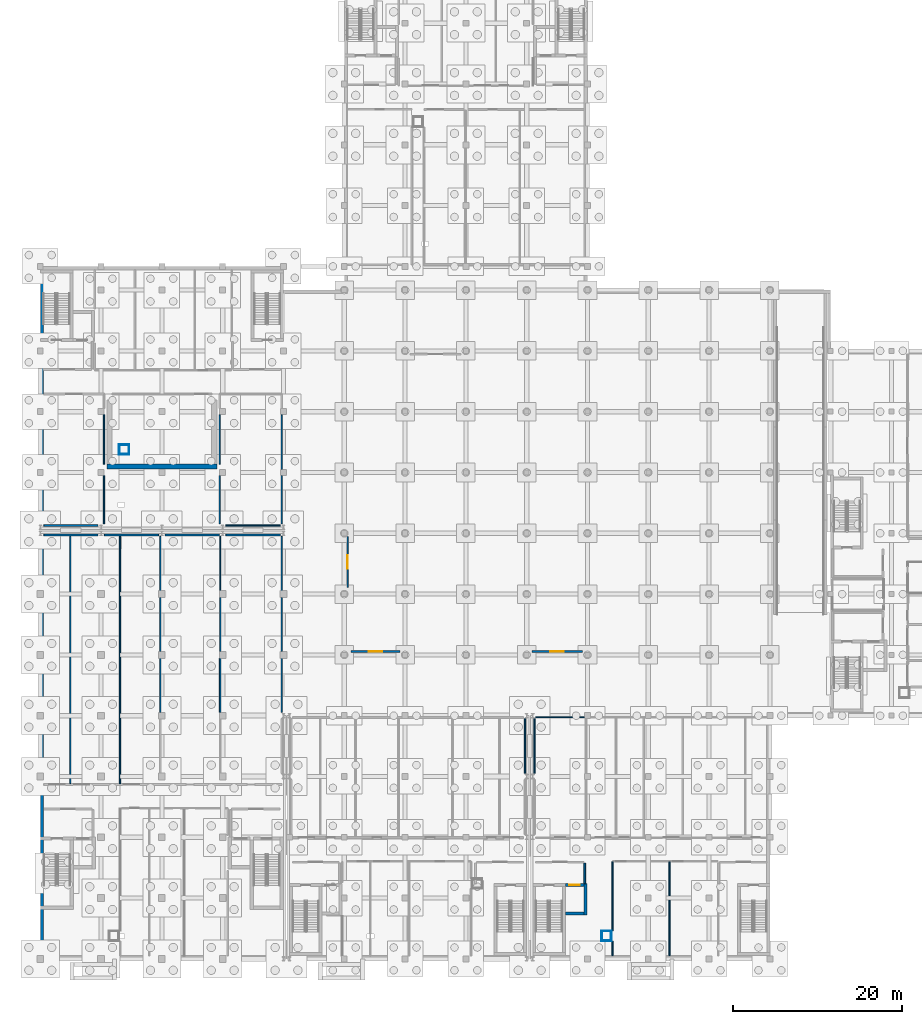
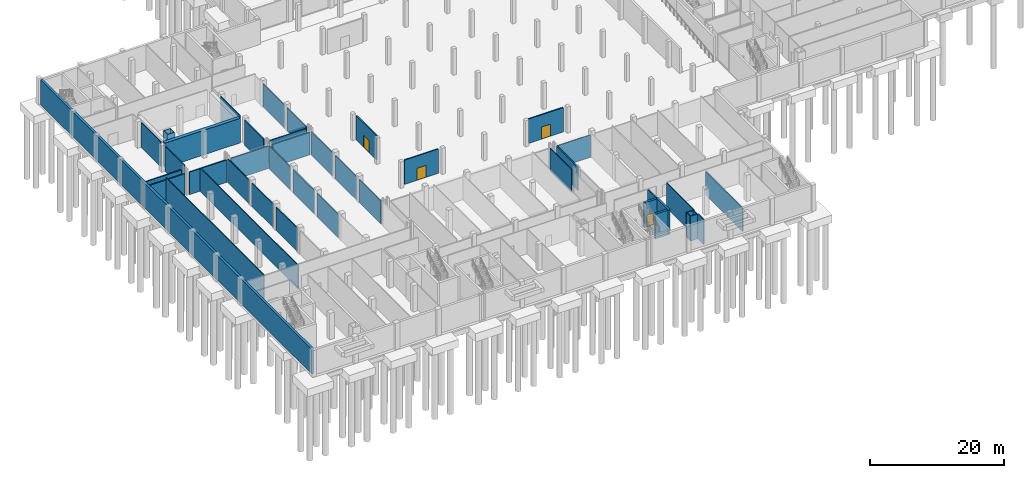
# One storey, part 18 of 35: 46 walls, 4 doors, 4 openings.
"""IFC4 building model written with IfcOpenShell, lengths in metres."""

from ifc_helpers import new_model, si_unit, direction, frame, frame_2d, origin, place, context, subcontext, project, spatial, rectangle, extrude, material, layer, layer_set, type_object, element, fill, save


model = new_model("IFC4")

# Units and contexts
model_context = context("Model", 3, precision=1e-05, world=origin(), true_north=direction((0.0, 1.0)))
body_context = subcontext(model_context, "Body", "Model", "MODEL_VIEW")
ifc_project = project(units=[si_unit("LENGTHUNIT", "METRE"), si_unit("AREAUNIT", "SQUARE_METRE"), si_unit("VOLUMEUNIT", "CUBIC_METRE"), si_unit("PLANEANGLEUNIT", "RADIAN"), si_unit("MASSUNIT", "GRAM", prefix="KILO")], contexts=[model_context])

# Site, building, storey
site_placement = place(None, origin())
site = spatial("IfcSite", under=ifc_project, at=site_placement, CompositionType="ELEMENT")
building_placement = place(site_placement, origin())
building = spatial("IfcBuilding", under=site, at=building_placement, Name="Zarrinpeak Specialist Clinic", CompositionType="ELEMENT")
storey_placement = place(building_placement, frame((0.0, 0.0, -4.800048828125)))
storey = spatial("IfcBuildingStorey", under=building, at=storey_placement, Name="B01", CompositionType="ELEMENT", Elevation=-4.800048828125)

# Walls
ifc_material_1 = material(Name="Concrete C40/50", Category="concrete")
ifc_layer_1 = layer(ifc_material_1, 0.60009765625)
ifc_layer_set_1 = layer_set([ifc_layer_1], Name="Concrete C40/50")
wall_type_1 = type_object("IfcWallType", Name="WL-BNK600", PredefinedType="SHEAR", material=ifc_layer_set_1)
wall_1_placement = place(storey_placement, frame((7.89990234375, 58.300048828125, 0.0), z_axis=(0.0, 0.0, 1.0), x_axis=(1.0, 0.0, 0.0)))
element("IfcWall", 1, at=wall_1_placement, inside=storey, type_object=wall_type_1, Name="B01 Radiotherapy Shielded Bunker Shear Wall SW-BUNKER-03", PredefinedType="SHEAR", context=body_context, shape_type="SweptSolid", body=[
    extrude(rectangle(XDim=13.0, YDim=0.60009765625, at=frame_2d((6.5, 0.0))), origin(), (0.0, 0.0, 1.0), 4.5),
])
ifc_layer_2 = layer(ifc_material_1, 0.35009765625)
ifc_layer_set_2 = layer_set([ifc_layer_2], Name="Concrete C40/50")
wall_type_2 = type_object("IfcWallType", Name="WL-CR350", PredefinedType="SHEAR", material=ifc_layer_set_2)
wall_2_placement = place(storey_placement, frame((62.169921875, 5.375, 0.0), z_axis=(0.0, 0.0, 1.0), x_axis=(1.0, 0.0, 0.0)))
element("IfcWall", 2, at=wall_2_placement, inside=storey, type_object=wall_type_2, Name="B01 Lift LF-P4 Shaft Wall LFS", PredefinedType="SHEAR", context=body_context, shape_type="SweptSolid", body=[
    extrude(rectangle(XDim=2.2001953125, YDim=0.35009765625, at=frame_2d((1.10009765625, 0.0))), origin(), (0.0, 0.0, 1.0), 4.545166015625),
])

# Wall, opening, door
wall_3_placement = place(storey_placement, frame((62.169921875, 8.72509765625, 0.0), z_axis=(0.0, 0.0, 1.0), x_axis=(1.0, 0.0, 0.0)))
wall_3 = element("IfcWall", 3, at=wall_3_placement, inside=storey, type_object=wall_type_2, Name="B01 Lift LF-P4 Shaft Wall LFN", PredefinedType="SHEAR", context=body_context, shape_type="SweptSolid", body=[
    extrude(rectangle(XDim=2.2001953125, YDim=0.35009765625, at=frame_2d((1.10009765625, 0.0))), origin(), (0.0, 0.0, 1.0), 4.545166015625),
])
opening_1_placement = place(wall_3_placement, frame((0.5, 0.0, 0.0)))
opening_1 = element("IfcOpeningElement", 4, at=opening_1_placement, cuts=wall_3, Name="Opening LD-02", PredefinedType="OPENING", context=body_context, shape_type="SweptSolid", body=[
    extrude(rectangle(XDim=1.199951171875, YDim=2.199951171875, at=frame_2d((0.60009765625, 1.10009765625))), frame((0.0, 0.18505859375, 0.0), z_axis=(0.0, -1.0, 0.0), x_axis=(1.0, 0.0, 0.0)), (0.0, 0.0, 1.0), 0.3701171875),
])
ifc_material_2 = material(Name="Powder-Coated Galvanised Steel", Category="steel")
door_type_1 = type_object("IfcDoorType", Name="DR-LD120", OperationType="SLIDING_TO_RIGHT", PredefinedType="DOOR", material=ifc_material_2)
door_1_placement = place(opening_1_placement, origin())
door_1 = element("IfcDoor", 5, at=door_1_placement, inside=storey, type_object=door_type_1, Name="B01 Lift LF-P4 Sliding Landing Door", OperationType="SLIDING_TO_RIGHT", OverallHeight=2.199951171875, OverallWidth=1.199951171875, PredefinedType="DOOR", context=body_context, shape_type="SweptSolid", body=[
    extrude(rectangle(XDim=1.199951171875, YDim=2.199951171875, at=frame_2d((0.60009765625, 1.10009765625))), frame((0.0, 0.02490234375, 0.0), z_axis=(0.0, -1.0, 0.0), x_axis=(1.0, 0.0, 0.0)), (0.0, 0.0, 1.0), 0.050048828125),
])
fill(opening_1, door_1)

# Walls
wall_4_placement = place(storey_placement, frame((64.544921875, 5.199951171875, 0.0), z_axis=(0.0, 0.0, 1.0), x_axis=(0.0, 1.0, 0.0)))
element("IfcWall", 6, at=wall_4_placement, inside=storey, type_object=wall_type_2, Name="B01 Lift LF-P4 Shaft Wall LFE", PredefinedType="SHEAR", context=body_context, shape_type="SweptSolid", body=[
    extrude(rectangle(XDim=3.699951171875, YDim=0.35009765625, at=frame_2d((1.85009765625, 0.0))), origin(), (0.0, 0.0, 1.0), 4.545166015625),
])
ifc_material_3 = material(Name="Sanitary Service Chase Plumbing Wall", Category="gypsum")
ifc_layer_3 = layer(ifc_material_3, 0.110107421875)
ifc_layer_set_3 = layer_set([ifc_layer_3], Name="Sanitary Service Chase Plumbing Wall")
wall_type_3 = type_object("IfcWallType", Name="WL-IW110", PredefinedType="PARTITIONING", material=ifc_layer_set_3)
for number, where, z_axis, x_axis, name in (
    (7, (66.409912109375, 2.14501953125, 0.0), (0.0, 0.0, 1.0), (1.0, 0.0, 0.0), "B01 V4 Enclosed MEP Service Riser Wall S"),
    (8, (66.409912109375, 3.304931640625, 0.0), (0.0, 0.0, 1.0), (1.0, 0.0, 0.0), "B01 V4 Enclosed MEP Service Riser Wall N"),
):
    element("IfcWall", number, at=place(storey_placement, frame(where, z_axis=z_axis, x_axis=x_axis)), inside=storey, type_object=wall_type_3, Name=name, PredefinedType="PARTITIONING", context=body_context, shape_type="SweptSolid", body=[
        extrude(rectangle(XDim=1.27001953125, YDim=0.110107421875, at=frame_2d((0.635009765625, 0.0))), origin(), (0.0, 0.0, 1.0), 4.5400390625),
    ])
for number, where, z_axis, x_axis, name in (
    (9, (66.465087890625, 2.199951171875, 0.0), (0.0, 0.0, 1.0), (0.0, 1.0, 0.0), "B01 V4 Enclosed MEP Service Riser Wall W"),
    (10, (67.625, 2.199951171875, 0.0), (0.0, 0.0, 1.0), (0.0, 1.0, 0.0), "B01 V4 Enclosed MEP Service Riser Wall E"),
):
    element("IfcWall", number, at=place(storey_placement, frame(where, z_axis=z_axis, x_axis=x_axis)), inside=storey, type_object=wall_type_3, Name=name, PredefinedType="PARTITIONING", context=body_context, shape_type="SweptSolid", body=[
        extrude(rectangle(XDim=1.050048828125, YDim=0.110107421875, at=frame_2d((0.52490234375, 0.0))), origin(), (0.0, 0.0, 1.0), 4.5400390625),
    ])
for number, where, z_axis, x_axis, name in (
    (11, (9.2900390625, 59.7451171875, 0.0), (0.0, 0.0, 1.0), (1.0, 0.0, 0.0), "B01 V5 Enclosed MEP Service Riser Wall S"),
    (12, (9.2900390625, 60.905029296875, 0.0), (0.0, 0.0, 1.0), (1.0, 0.0, 0.0), "B01 V5 Enclosed MEP Service Riser Wall N"),
):
    element("IfcWall", number, at=place(storey_placement, frame(where, z_axis=z_axis, x_axis=x_axis)), inside=storey, type_object=wall_type_3, Name=name, PredefinedType="PARTITIONING", context=body_context, shape_type="SweptSolid", body=[
        extrude(rectangle(XDim=1.27001953125, YDim=0.110107421875, at=frame_2d((0.635009765625, 0.0))), origin(), (0.0, 0.0, 1.0), 4.5400390625),
    ])
for number, where, z_axis, x_axis, name in (
    (13, (9.344970703125, 59.800048828125, 0.0), (0.0, 0.0, 1.0), (0.0, 1.0, 0.0), "B01 V5 Enclosed MEP Service Riser Wall W"),
    (14, (10.5048828125, 59.800048828125, 0.0), (0.0, 0.0, 1.0), (0.0, 1.0, 0.0), "B01 V5 Enclosed MEP Service Riser Wall E"),
):
    element("IfcWall", number, at=place(storey_placement, frame(where, z_axis=z_axis, x_axis=x_axis)), inside=storey, type_object=wall_type_3, Name=name, PredefinedType="PARTITIONING", context=body_context, shape_type="SweptSolid", body=[
        extrude(rectangle(XDim=1.050048828125, YDim=0.110107421875, at=frame_2d((0.52490234375, 0.0))), origin(), (0.0, 0.0, 1.0), 4.5400390625),
    ])
ifc_material_4 = material(Name="Moisture-Resistant Wet-Room Partition", Category="gypsum")
ifc_layer_4 = layer(ifc_material_4, 0.125)
ifc_layer_set_4 = layer_set([ifc_layer_4], Name="Moisture-Resistant Wet-Room Partition")
wall_type_4 = type_object("IfcWallType", Name="WL-IW125W", PredefinedType="PARTITIONING", material=ifc_layer_set_4)
wall_5_placement = place(storey_placement, frame((58.699951171875, 28.60009765625, 0.0), z_axis=(0.0, 0.0, 1.0), x_axis=(1.0, 0.0, 0.0)))
element("IfcWall", 15, at=wall_5_placement, inside=storey, type_object=wall_type_4, Name="B01 Accessible CSSD Staff WC Partition", PredefinedType="PARTITIONING", context=body_context, shape_type="SweptSolid", body=[
    extrude(rectangle(XDim=5.719970703125, YDim=0.125, at=frame_2d((2.85986328125, 0.0))), origin(), (0.0, 0.0, 1.0), 4.094970703125),
])
ifc_material_5 = material(Name="Standard Drywall Partition", Category="gypsum")
ifc_layer_5 = layer(ifc_material_5, 0.135009765625)
ifc_layer_set_5 = layer_set([ifc_layer_5], Name="Standard Drywall Partition")
wall_type_5 = type_object("IfcWallType", Name="WL-IW135", PredefinedType="PARTITIONING", material=ifc_layer_set_5)
wall_6_placement = place(storey_placement, frame((3.550048828125, 20.75, 0.0), z_axis=(0.0, 0.0, 1.0), x_axis=(0.0, 1.0, 0.0)))
element("IfcWall", 16, at=wall_6_placement, inside=storey, type_object=wall_type_5, Name="B01 Medical Gas Manifold Plant Dividing Partition", PredefinedType="PARTITIONING", context=body_context, shape_type="SweptSolid", body=[
    extrude(rectangle(XDim=29.35009765625, YDim=0.135009765625, at=frame_2d((14.675048828125, 0.0))), origin(), (0.0, 0.0, 1.0), 4.545166015625),
])
wall_7_placement = place(storey_placement, frame((7.550048828125, 58.60009765625, 0.0), z_axis=(0.0, 0.0, 1.0), x_axis=(0.0, 1.0, 0.0)))
element("IfcWall", 17, at=wall_7_placement, inside=storey, type_object=wall_type_5, Name="B01 Helium Quench Chiller Plant Dividing Partition", PredefinedType="PARTITIONING", context=body_context, shape_type="SweptSolid", body=[
    extrude(rectangle(XDim=5.81982421875, YDim=0.135009765625, at=frame_2d((2.909912109375, 0.0))), origin(), (0.0, 0.0, 1.0), 4.545166015625),
])
wall_8_placement = place(storey_placement, frame((9.449951171875, 20.75, 0.0), z_axis=(0.0, 0.0, 1.0), x_axis=(0.0, 1.0, 0.0)))
element("IfcWall", 18, at=wall_8_placement, inside=storey, type_object=wall_type_5, Name="B01 Primary Electrical Substation Dividing Partition", PredefinedType="PARTITIONING", context=body_context, shape_type="SweptSolid", body=[
    extrude(rectangle(XDim=29.35009765625, YDim=0.135009765625, at=frame_2d((14.675048828125, 0.0))), origin(), (0.0, 0.0, 1.0), 4.235107421875),
])
for number, where, z_axis, x_axis, name in (
    (19, (14.199951171875, 29.179931640625, 0.0), (0.0, 0.0, 1.0), (0.0, 1.0, 0.0), "B01 Primary Electrical Substation Dividing Partition"),
    (20, (28.60009765625, 29.179931640625, 0.0), (0.0, 0.0, 1.0), (0.0, 1.0, 0.0), "B01 Specialist Consultation Room 2 Dividing Partition"),
):
    element("IfcWall", number, at=place(storey_placement, frame(where, z_axis=z_axis, x_axis=x_axis)), inside=storey, type_object=wall_type_5, Name=name, PredefinedType="PARTITIONING", context=body_context, shape_type="SweptSolid", body=[
        extrude(rectangle(XDim=6.440185546875, YDim=0.135009765625, at=frame_2d((3.22021484375, 0.0))), origin(), (0.0, 0.0, 1.0), 4.2451171875),
    ])
wall_9_placement = place(storey_placement, frame((28.60009765625, 57.97998046875, 0.0), z_axis=(0.0, 0.0, 1.0), x_axis=(0.0, 1.0, 0.0)))
element("IfcWall", 21, at=wall_9_placement, inside=storey, type_object=wall_type_5, Name="B01 Specialist Consultation Room 1 Dividing Partition", PredefinedType="PARTITIONING", context=body_context, shape_type="SweptSolid", body=[
    extrude(rectangle(XDim=6.43994140625, YDim=0.135009765625, at=frame_2d((3.219970703125, 0.0))), origin(), (0.0, 0.0, 1.0), 4.235107421875),
])
ifc_material_6 = material(Name="Acoustic Consultation Stud Partition", Category="gypsum")
ifc_layer_6 = layer(ifc_material_6, 0.14208984375)
ifc_layer_set_6 = layer_set([ifc_layer_6], Name="Acoustic Consultation Stud Partition")
wall_type_6 = type_object("IfcWallType", Name="WL-IW142", PredefinedType="PARTITIONING", material=ifc_layer_set_6)
wall_10_placement = place(storey_placement, frame((21.97998046875, 51.320068359375, 0.0), z_axis=(0.0, 0.0, 1.0), x_axis=(1.0, 0.0, 0.0)))
element("IfcWall", 22, at=wall_10_placement, inside=storey, type_object=wall_type_6, Name="B01 Specialist Consultation Room 1 Partition", PredefinedType="PARTITIONING", context=body_context, shape_type="SweptSolid", body=[
    extrude(rectangle(XDim=6.43994140625, YDim=0.14208984375, at=frame_2d((3.219970703125, 0.0))), origin(), (0.0, 0.0, 1.0), 4.0849609375),
])
wall_11_placement = place(storey_placement, frame((7.550048828125, 51.5, 0.0), z_axis=(0.0, 0.0, 1.0), x_axis=(0.0, 1.0, 0.0)))
element("IfcWall", 23, at=wall_11_placement, inside=storey, type_object=wall_type_6, Name="B01 Helium Quench Chiller Plant Dividing Partition", PredefinedType="PARTITIONING", context=body_context, shape_type="SweptSolid", body=[
    extrude(rectangle(XDim=5.719970703125, YDim=0.14208984375, at=frame_2d((2.85986328125, 0.0))), origin(), (0.0, 0.0, 1.0), 4.545166015625),
])
wall_12_placement = place(storey_placement, frame((21.300048828125, 43.580078125, 0.0), z_axis=(0.0, 0.0, 1.0), x_axis=(0.0, 1.0, 0.0)))
element("IfcWall", 24, at=wall_12_placement, inside=storey, type_object=wall_type_6, Name="B01 Specialist Consultation Room 1 Dividing Partition", PredefinedType="PARTITIONING", context=body_context, shape_type="SweptSolid", body=[
    extrude(rectangle(XDim=6.43994140625, YDim=0.14208984375, at=frame_2d((3.219970703125, 0.0))), origin(), (0.0, 0.0, 1.0), 4.2451171875),
])
wall_13_placement = place(storey_placement, frame((28.60009765625, 51.5, 0.0), z_axis=(0.0, 0.0, 1.0), x_axis=(0.0, 1.0, 0.0)))
element("IfcWall", 25, at=wall_13_placement, inside=storey, type_object=wall_type_6, Name="B01 Specialist Consultation Room 1 Dividing Partition", PredefinedType="PARTITIONING", context=body_context, shape_type="SweptSolid", body=[
    extrude(rectangle(XDim=5.719970703125, YDim=0.14208984375, at=frame_2d((2.85986328125, 0.0))), origin(), (0.0, 0.0, 1.0), 4.235107421875),
])
ifc_material_7 = material(Name="Insulated Clinical Gypsum Stud Partition", Category="gypsum")
ifc_layer_7 = layer(ifc_material_7, 0.14990234375)
ifc_layer_set_7 = layer_set([ifc_layer_7], Name="Insulated Clinical Gypsum Stud Partition")
wall_type_7 = type_object("IfcWallType", Name="WL-IW150", PredefinedType="PARTITIONING", material=ifc_layer_set_7)
wall_14_placement = place(storey_placement, frame((14.199951171875, 43.580078125, 0.0), z_axis=(0.0, 0.0, 1.0), x_axis=(0.0, 1.0, 0.0)))
element("IfcWall", 26, at=wall_14_placement, inside=storey, type_object=wall_type_7, Name="B01 Primary Electrical Substation Dividing Partition", PredefinedType="PARTITIONING", context=body_context, shape_type="SweptSolid", body=[
    extrude(rectangle(XDim=6.43994140625, YDim=0.14990234375, at=frame_2d((3.219970703125, 0.0))), origin(), (0.0, 0.0, 1.0), 4.2451171875),
])
wall_15_placement = place(storey_placement, frame((21.25, 58.60009765625, 0.0), z_axis=(0.0, 0.0, 1.0), x_axis=(0.0, 1.0, 0.0)))
element("IfcWall", 27, at=wall_15_placement, inside=storey, type_object=wall_type_7, Name="B01 Specialist Consultation Room 1 Dividing Partition", PredefinedType="PARTITIONING", context=body_context, shape_type="SweptSolid", body=[
    extrude(rectangle(XDim=5.81982421875, YDim=0.14990234375, at=frame_2d((2.909912109375, 0.0))), origin(), (0.0, 0.0, 1.0), 4.545166015625),
])
wall_16_placement = place(storey_placement, frame((21.300048828125, 36.3798828125, 0.0), z_axis=(0.0, 0.0, 1.0), x_axis=(0.0, 1.0, 0.0)))
element("IfcWall", 28, at=wall_16_placement, inside=storey, type_object=wall_type_7, Name="B01 Specialist Consultation Room 1 Dividing Partition", PredefinedType="PARTITIONING", context=body_context, shape_type="SweptSolid", body=[
    extrude(rectangle(XDim=6.440185546875, YDim=0.14990234375, at=frame_2d((3.22021484375, 0.0))), origin(), (0.0, 0.0, 1.0), 4.2451171875),
])
for number, where, z_axis, x_axis, name in (
    (29, (28.60009765625, 43.580078125, 0.0), (0.0, 0.0, 1.0), (0.0, 1.0, 0.0), "B01 Specialist Consultation Room 2 Dividing Partition"),
    (30, (57.39990234375, 21.97998046875, 0.0), (0.0, 0.0, 1.0), (0.0, 1.0, 0.0), "B01 Cold-Chain Pharmacy Vault Dividing Partition"),
    (31, (58.52001953125, 21.97998046875, 0.0), (0.0, 0.0, 1.0), (0.0, 1.0, 0.0), "B01 Specialist Consultation Room 3 Dividing Partition"),
):
    element("IfcWall", number, at=place(storey_placement, frame(where, z_axis=z_axis, x_axis=x_axis)), inside=storey, type_object=wall_type_7, Name=name, PredefinedType="PARTITIONING", context=body_context, shape_type="SweptSolid", body=[
        extrude(rectangle(XDim=6.43994140625, YDim=0.14990234375, at=frame_2d((3.219970703125, 0.0))), origin(), (0.0, 0.0, 1.0), 4.2451171875),
    ])
wall_17_placement = place(storey_placement, frame((67.77001953125, 3.360107421875, 0.0), z_axis=(0.0, 0.0, 1.0), x_axis=(0.0, 1.0, 0.0)))
element("IfcWall", 32, at=wall_17_placement, inside=storey, type_object=wall_type_7, Name="B01 Specialist Consultation Room 2 Dividing Partition", PredefinedType="PARTITIONING", context=body_context, shape_type="SweptSolid", body=[
    extrude(rectangle(XDim=8.118896484375, YDim=0.14990234375, at=frame_2d((4.0595703125, 0.0))), origin(), (0.0, 0.0, 1.0), 4.545166015625),
])
ifc_material_8 = material(Name="Acoustic Double Gypsum Stud Partition", Category="gypsum")
ifc_layer_8 = layer(ifc_material_8, 0.159912109375)
ifc_layer_set_8 = layer_set([ifc_layer_8], Name="Acoustic Double Gypsum Stud Partition")
wall_type_8 = type_object("IfcWallType", Name="WL-IW160", PredefinedType="PARTITIONING", material=ifc_layer_set_8)
wall_18_placement = place(storey_placement, frame((14.199951171875, 36.3798828125, 0.0), z_axis=(0.0, 0.0, 1.0), x_axis=(0.0, 1.0, 0.0)))
element("IfcWall", 33, at=wall_18_placement, inside=storey, type_object=wall_type_8, Name="B01 Primary Electrical Substation Dividing Partition", PredefinedType="PARTITIONING", context=body_context, shape_type="SweptSolid", body=[
    extrude(rectangle(XDim=6.440185546875, YDim=0.159912109375, at=frame_2d((3.22021484375, 0.0))), origin(), (0.0, 0.0, 1.0), 4.2451171875),
])
wall_19_placement = place(storey_placement, frame((21.25, 51.5, 0.0), z_axis=(0.0, 0.0, 1.0), x_axis=(0.0, 1.0, 0.0)))
element("IfcWall", 34, at=wall_19_placement, inside=storey, type_object=wall_type_8, Name="B01 Specialist Consultation Room 1 Dividing Partition", PredefinedType="PARTITIONING", context=body_context, shape_type="SweptSolid", body=[
    extrude(rectangle(XDim=5.719970703125, YDim=0.159912109375, at=frame_2d((2.85986328125, 0.0))), origin(), (0.0, 0.0, 1.0), 4.545166015625),
])
for number, where, z_axis, x_axis, name in (
    (35, (21.300048828125, 29.179931640625, 0.0), (0.0, 0.0, 1.0), (0.0, 1.0, 0.0), "B01 Specialist Consultation Room 1 Dividing Partition"),
    (36, (28.60009765625, 36.3798828125, 0.0), (0.0, 0.0, 1.0), (0.0, 1.0, 0.0), "B01 Specialist Consultation Room 2 Dividing Partition"),
):
    element("IfcWall", number, at=place(storey_placement, frame(where, z_axis=z_axis, x_axis=x_axis)), inside=storey, type_object=wall_type_8, Name=name, PredefinedType="PARTITIONING", context=body_context, shape_type="SweptSolid", body=[
        extrude(rectangle(XDim=6.440185546875, YDim=0.159912109375, at=frame_2d((3.22021484375, 0.0))), origin(), (0.0, 0.0, 1.0), 4.2451171875),
    ])
wall_20_placement = place(storey_placement, frame((67.77001953125, 0.39990234375, 0.0), z_axis=(0.0, 0.0, 1.0), x_axis=(0.0, 1.0, 0.0)))
element("IfcWall", 37, at=wall_20_placement, inside=storey, type_object=wall_type_8, Name="B01 Specialist Consultation Room 2 Dividing Partition", PredefinedType="PARTITIONING", context=body_context, shape_type="SweptSolid", body=[
    extrude(rectangle(XDim=1.690185546875, YDim=0.159912109375, at=frame_2d((0.84521484375, 0.0))), origin(), (0.0, 0.0, 1.0), 4.545166015625),
])
wall_21_placement = place(storey_placement, frame((74.52001953125, 0.39990234375, 0.0), z_axis=(0.0, 0.0, 1.0), x_axis=(0.0, 1.0, 0.0)))
element("IfcWall", 38, at=wall_21_placement, inside=storey, type_object=wall_type_8, Name="B01 Specialist Consultation Room 1 Dividing Partition", PredefinedType="PARTITIONING", context=body_context, shape_type="SweptSolid", body=[
    extrude(rectangle(XDim=11.0791015625, YDim=0.159912109375, at=frame_2d((5.53955078125, 0.0))), origin(), (0.0, 0.0, 1.0), 4.235107421875),
])
ifc_material_9 = material(Name="Autoclaved Aerated Concrete Blockwork", Category="masonry")
ifc_layer_9 = layer(ifc_material_9, 0.199951171875)
ifc_layer_set_9 = layer_set([ifc_layer_9], Name="Autoclaved Aerated Concrete Blockwork")
wall_type_9 = type_object("IfcWallType", Name="WL-IW200", PredefinedType="PARTITIONING", material=ifc_layer_set_9)
wall_22_placement = place(storey_placement, frame((64.469970703125, 8.89990234375, 0.0), z_axis=(0.0, 0.0, 1.0), x_axis=(0.0, 1.0, 0.0)))
element("IfcWall", 39, at=wall_22_placement, inside=storey, type_object=wall_type_9, Name="B01 C07 Protected Lobby Partition LBE", PredefinedType="PARTITIONING", context=body_context, shape_type="SweptSolid", body=[
    extrude(rectangle(XDim=2.4501953125, YDim=0.199951171875, at=frame_2d((1.22509765625, 0.0))), origin(), (0.0, 0.0, 1.0), 4.545166015625),
])
wall_23_placement = place(storey_placement, frame((0.419921875, 50.199951171875, 0.0), z_axis=(0.0, 0.0, 1.0), x_axis=(1.0, 0.0, 0.0)))
element("IfcWall", 40, at=wall_23_placement, inside=storey, type_object=wall_type_9, Name="B01 Medical Gas Manifold Plant Partition", PredefinedType="PARTITIONING", context=body_context, shape_type="SweptSolid", body=[
    extrude(rectangle(XDim=6.400146484375, YDim=0.199951171875, at=frame_2d((3.2001953125, 0.0))), origin(), (0.0, 0.0, 1.0), 4.094970703125),
])
for number, where, z_axis, x_axis, name in (
    (41, (7.580078125, 50.199951171875, 0.0), (0.0, 0.0, 1.0), (1.0, 0.0, 0.0), "B01 Medical Gas Manifold Plant Partition"),
    (42, (14.780029296875, 50.199951171875, 0.0), (0.0, 0.0, 1.0), (1.0, 0.0, 0.0), "B01 Medical Gas Manifold Plant Partition"),
    (43, (21.97998046875, 50.199951171875, 0.0), (0.0, 0.0, 1.0), (1.0, 0.0, 0.0), "B01 Medical Gas Manifold Plant Partition"),
):
    element("IfcWall", number, at=place(storey_placement, frame(where, z_axis=z_axis, x_axis=x_axis)), inside=storey, type_object=wall_type_9, Name=name, PredefinedType="PARTITIONING", context=body_context, shape_type="SweptSolid", body=[
        extrude(rectangle(XDim=6.43994140625, YDim=0.199951171875, at=frame_2d((3.219970703125, 0.0))), origin(), (0.0, 0.0, 1.0), 4.094970703125),
    ])
wall_24_placement = place(storey_placement, frame((0.419921875, 51.320068359375, 0.0), z_axis=(0.0, 0.0, 1.0), x_axis=(1.0, 0.0, 0.0)))
element("IfcWall", 44, at=wall_24_placement, inside=storey, type_object=wall_type_9, Name="B01 Helium Quench Chiller Plant Partition", PredefinedType="PARTITIONING", context=body_context, shape_type="SweptSolid", body=[
    extrude(rectangle(XDim=6.400146484375, YDim=0.199951171875, at=frame_2d((3.2001953125, 0.0))), origin(), (0.0, 0.0, 1.0), 4.0849609375),
])

# Wall, opening, door
wall_25_placement = place(storey_placement, frame((36.800048828125, 36.39990234375, 0.0), z_axis=(0.0, 0.0, 1.0), x_axis=(1.0, 0.0, 0.0)))
wall_25 = element("IfcWall", 45, at=wall_25_placement, inside=storey, type_object=wall_type_9, Name="B01 Car-Park Fire Vestibule Wall IW-B01-LOOP-S1", PredefinedType="PARTITIONING", context=body_context, shape_type="SweptSolid", body=[
    extrude(rectangle(XDim=5.800048828125, YDim=0.199951171875, at=frame_2d((2.89990234375, 0.0))), origin(), (0.0, 0.0, 1.0), 4.449951171875),
])
opening_2_placement = place(wall_25_placement, frame((2.10009765625, 0.0, 0.0)))
opening_2 = element("IfcOpeningElement", 46, at=opening_2_placement, cuts=wall_25, Name="Opening D-L01", PredefinedType="OPENING", context=body_context, shape_type="SweptSolid", body=[
    extrude(rectangle(XDim=1.60009765625, YDim=2.199951171875, at=frame_2d((0.800048828125, 1.10009765625))), frame((0.0, 0.10986328125, 0.0), z_axis=(0.0, -1.0, 0.0), x_axis=(1.0, 0.0, 0.0)), (0.0, 0.0, 1.0), 0.219970703125),
])
door_type_2 = type_object("IfcDoorType", Name="DR-LB160", OperationType="DOUBLE_DOOR_SINGLE_SWING", PredefinedType="DOOR", material=ifc_material_2)
door_2_placement = place(opening_2_placement, origin())
door_2 = element("IfcDoor", 47, at=door_2_placement, inside=storey, type_object=door_type_2, Name="B01 Car-Park Loop Pedestrian Fire Door IW-B01-LOOP-S1", OperationType="DOUBLE_DOOR_SINGLE_SWING", OverallHeight=2.199951171875, OverallWidth=1.60009765625, PredefinedType="DOOR", context=body_context, shape_type="SweptSolid", body=[
    extrude(rectangle(XDim=1.60009765625, YDim=2.199951171875, at=frame_2d((0.800048828125, 1.10009765625))), frame((0.0, 0.02490234375, 0.0), z_axis=(0.0, -1.0, 0.0), x_axis=(1.0, 0.0, 0.0)), (0.0, 0.0, 1.0), 0.050048828125),
])
fill(opening_2, door_2)

wall_26_placement = place(storey_placement, frame((58.199951171875, 36.39990234375, 0.0), z_axis=(0.0, 0.0, 1.0), x_axis=(1.0, 0.0, 0.0)))
wall_26 = element("IfcWall", 48, at=wall_26_placement, inside=storey, type_object=wall_type_9, Name="B01 Car-Park Fire Vestibule Wall IW-B01-LOOP-S2", PredefinedType="PARTITIONING", context=body_context, shape_type="SweptSolid", body=[
    extrude(rectangle(XDim=6.0, YDim=0.199951171875, at=frame_2d((3.0, 0.0))), origin(), (0.0, 0.0, 1.0), 4.449951171875),
])
opening_3_placement = place(wall_26_placement, frame((2.199951171875, 0.0, 0.0)))
opening_3 = element("IfcOpeningElement", 49, at=opening_3_placement, cuts=wall_26, Name="Opening D-L01", PredefinedType="OPENING", context=body_context, shape_type="SweptSolid", body=[
    extrude(rectangle(XDim=1.60009765625, YDim=2.199951171875, at=frame_2d((0.800048828125, 1.10009765625))), frame((0.0, 0.10986328125, 0.0), z_axis=(0.0, -1.0, 0.0), x_axis=(1.0, 0.0, 0.0)), (0.0, 0.0, 1.0), 0.219970703125),
])
door_3_placement = place(opening_3_placement, origin())
door_3 = element("IfcDoor", 50, at=door_3_placement, inside=storey, type_object=door_type_2, Name="B01 Car-Park Loop Pedestrian Fire Door IW-B01-LOOP-S2", OperationType="DOUBLE_DOOR_SINGLE_SWING", OverallHeight=2.199951171875, OverallWidth=1.60009765625, PredefinedType="DOOR", context=body_context, shape_type="SweptSolid", body=[
    extrude(rectangle(XDim=1.60009765625, YDim=2.199951171875, at=frame_2d((0.800048828125, 1.10009765625))), frame((0.0, 0.02490234375, 0.0), z_axis=(0.0, -1.0, 0.0), x_axis=(1.0, 0.0, 0.0)), (0.0, 0.0, 1.0), 0.050048828125),
])
fill(opening_3, door_3)

wall_27_placement = place(storey_placement, frame((36.39990234375, 44.0, 0.0), z_axis=(0.0, 0.0, 1.0), x_axis=(0.0, 1.0, 0.0)))
wall_27 = element("IfcWall", 51, at=wall_27_placement, inside=storey, type_object=wall_type_9, Name="B01 Car-Park Fire Vestibule Wall IW-B01-LOOP-W1", PredefinedType="PARTITIONING", context=body_context, shape_type="SweptSolid", body=[
    extrude(rectangle(XDim=6.0, YDim=0.199951171875, at=frame_2d((3.0, 0.0))), origin(), (0.0, 0.0, 1.0), 4.449951171875),
])
opening_4_placement = place(wall_27_placement, frame((2.199951171875, 0.0, 0.0)))
opening_4 = element("IfcOpeningElement", 52, at=opening_4_placement, cuts=wall_27, Name="Opening D-L01", PredefinedType="OPENING", context=body_context, shape_type="SweptSolid", body=[
    extrude(rectangle(XDim=1.60009765625, YDim=2.199951171875, at=frame_2d((0.800048828125, 1.10009765625))), frame((0.0, 0.10986328125, 0.0), z_axis=(0.0, -1.0, 0.0), x_axis=(1.0, 0.0, 0.0)), (0.0, 0.0, 1.0), 0.219970703125),
])
door_4_placement = place(opening_4_placement, origin())
door_4 = element("IfcDoor", 53, at=door_4_placement, inside=storey, type_object=door_type_2, Name="B01 Car-Park Loop Pedestrian Fire Door IW-B01-LOOP-W1", OperationType="DOUBLE_DOOR_SINGLE_SWING", OverallHeight=2.199951171875, OverallWidth=1.60009765625, PredefinedType="DOOR", context=body_context, shape_type="SweptSolid", body=[
    extrude(rectangle(XDim=1.60009765625, YDim=2.199951171875, at=frame_2d((0.800048828125, 1.10009765625))), frame((0.0, 0.02490234375, 0.0), z_axis=(0.0, -1.0, 0.0), x_axis=(1.0, 0.0, 0.0)), (0.0, 0.0, 1.0), 0.050048828125),
])
fill(opening_4, door_4)

# Wall
ifc_layer_10 = layer(ifc_material_1, 0.39990234375)
ifc_layer_set_10 = layer_set([ifc_layer_10], Name="Concrete C40/50")
wall_type_10 = type_object("IfcWallType", Name="WL-RET400", PredefinedType="USERDEFINED", material=ifc_layer_set_10)
wall_28_placement = place(storey_placement, frame((0.199951171875, 81.60009765625, 0.0), z_axis=(0.0, 0.0, 1.0), x_axis=(0.0, -1.0, 0.0)))
element("IfcWall", 54, at=wall_28_placement, inside=storey, type_object=wall_type_10, Name="B01 Substructure Retaining Wall RW-B01-017", ObjectType="RETAININGWALL", PredefinedType="USERDEFINED", context=body_context, shape_type="SweptSolid", body=[
    extrude(rectangle(XDim=81.2001953125, YDim=0.39990234375, at=frame_2d((40.60009765625, 0.0))), origin(), (0.0, 0.0, 1.0), 4.545166015625),
])

save(model, "model.ifc")
